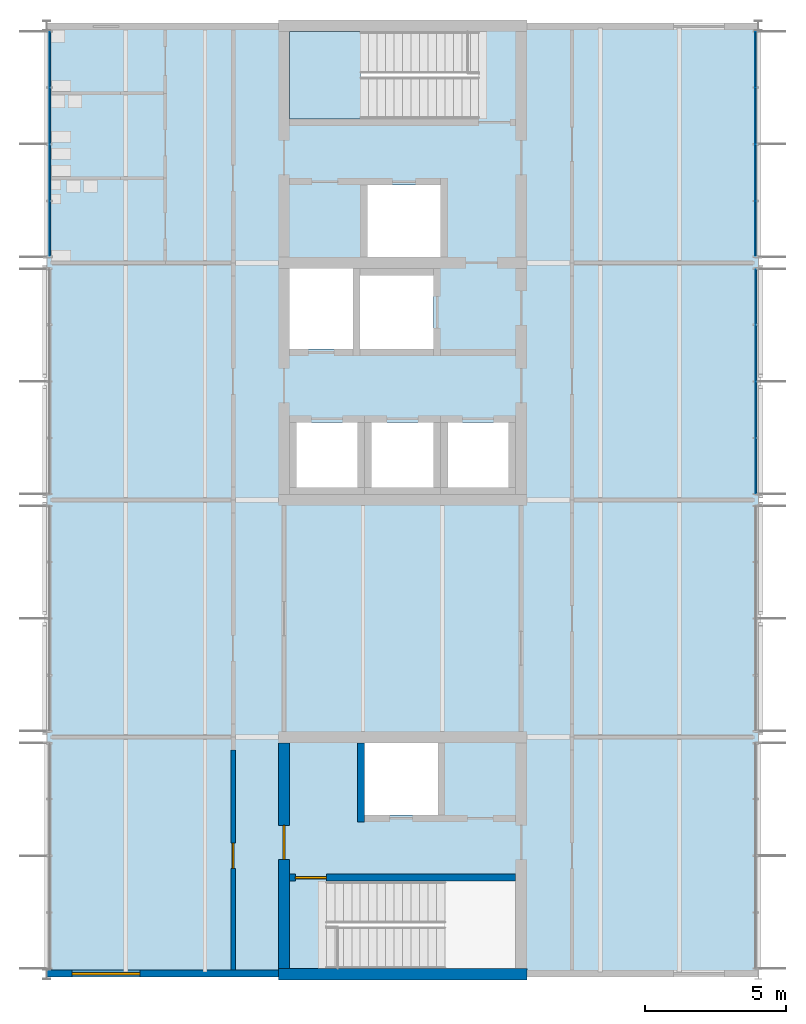
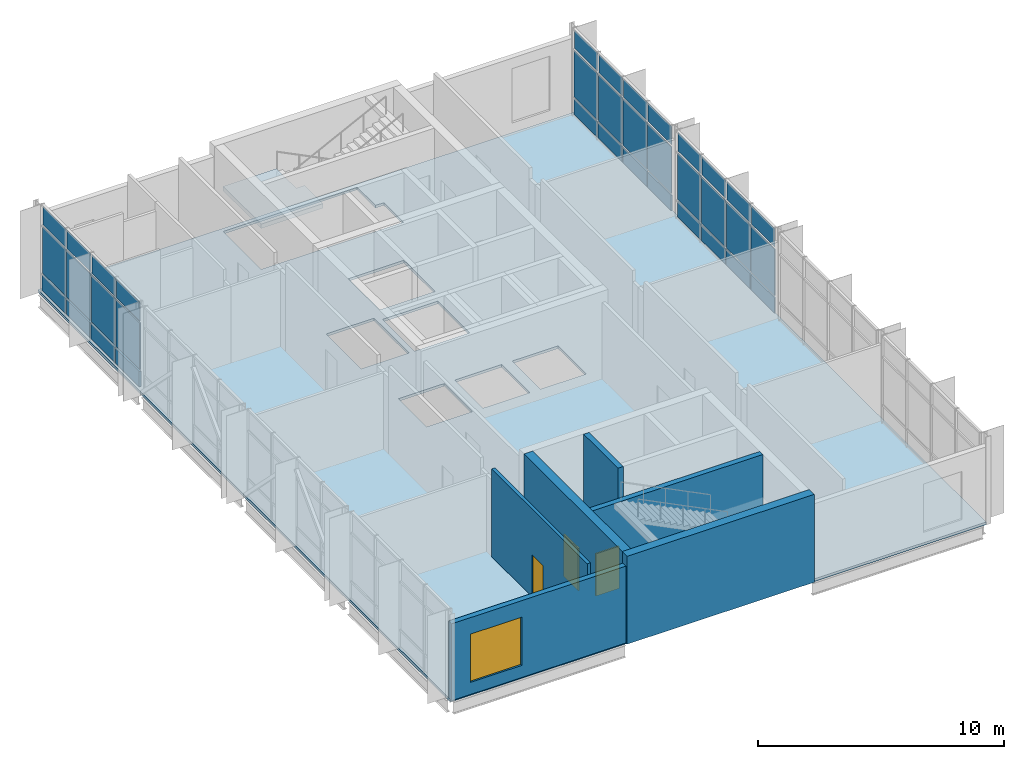
# One storey, part 8 of 17: 36 plates, 6 walls, 3 doors, 2 slabs, 1 window, 4 openings, 4 elements without a shape of their own.
"""IFC4 building model written with IfcOpenShell, lengths in metres."""

import ifcopenshell
import ifcopenshell.guid

model = None  # the IFC model being written
_history = None  # IfcOwnerHistory: only IFC2X3 demands one
_inside = {}  # id of a spatial element -> (the spatial element, [elements in it])
_under = {}  # id of a project, library or spatial element -> (it, [spatial elements below it])
_declared = {}  # id of a project -> (the project, [libraries it declares])
_typed = {}  # id of a type object -> (the type object, [elements of that type])
_made_of = {}  # id of a material, layer set ... -> (it, [elements and type objects made of it])


def new_model(schema):
    """Start an empty IFC model of exactly this schema.

    Asked for "IFC4X3", IfcOpenShell would pick the latest addendum, in which some entities
    have other attributes; the version numbers below select the first issue.
    IFC2X3 requires an IfcOwnerHistory on every rooted entity: one is made here for all.
    """
    global model, _history
    if schema == "IFC4X3":
        model = ifcopenshell.file(schema_version=(4, 3, 0, 0))
    else:
        model = ifcopenshell.file(schema=schema)
    _inside.clear()
    _under.clear()
    _declared.clear()
    _typed.clear()
    _made_of.clear()
    _history = None
    if model.schema == "IFC2X3":
        org = make("IfcOrganization", Name="unknown")
        user = make(
            "IfcPersonAndOrganization",
            ThePerson=make("IfcPerson", FamilyName="unknown"),
            TheOrganization=org,
        )
        app = make(
            "IfcApplication",
            ApplicationDeveloper=org,
            Version="unknown",
            ApplicationFullName="unknown",
            ApplicationIdentifier="unknown",
        )
        _history = make(
            "IfcOwnerHistory",
            OwningUser=user,
            OwningApplication=app,
            ChangeAction="ADDED",
            CreationDate=0,
        )
    return model


def make(cls, **values):
    """One entity of the class cls with the attributes given. An attribute that is None is left unset."""
    return model.create_entity(
        cls, **{name: value for name, value in values.items() if value is not None}
    )


def rooted(cls, **values):
    """An entity with a GlobalId (a new one), such as an element, a storey or a relation."""
    return make(cls, GlobalId=ifcopenshell.guid.new(), OwnerHistory=_history, **values)


def si_unit(unit_type, name, prefix=None):
    """IfcSIUnit, for example si_unit("LENGTHUNIT", "METRE", prefix="MILLI")."""
    return make("IfcSIUnit", UnitType=unit_type, Prefix=prefix, Name=name)


def assignment(units):
    """IfcUnitAssignment: the units of a project."""
    return None if units is None else make("IfcUnitAssignment", Units=units)


def point(xyz):
    """IfcCartesianPoint."""
    return None if xyz is None else make("IfcCartesianPoint", Coordinates=xyz)


def direction(xyz):
    """IfcDirection."""
    return None if xyz is None else make("IfcDirection", DirectionRatios=xyz)


def frame(location, z_axis=None, x_axis=None):
    """IfcAxis2Placement3D, a coordinate frame: its origin and axes. An axis left out is left unset."""
    return make(
        "IfcAxis2Placement3D",
        Location=point(location),
        Axis=direction(z_axis),
        RefDirection=direction(x_axis),
    )


def frame_2d(location, x_axis=None):
    """IfcAxis2Placement2D, a coordinate frame in the plane: its origin and x axis."""
    return make(
        "IfcAxis2Placement2D", Location=point(location), RefDirection=direction(x_axis)
    )


def origin():
    """The frame at (0, 0, 0) with its axes left unset."""
    return frame((0.0, 0.0, 0.0))


def origin_2d():
    """The frame at (0, 0) in the plane with its x axis left unset."""
    return frame_2d((0.0, 0.0))


def place(relative_to, where):
    """IfcLocalPlacement: puts the frame where relative to a parent placement (None: the world)."""
    return make(
        "IfcLocalPlacement", PlacementRelTo=relative_to, RelativePlacement=where
    )


def context(
    kind, dimensions, precision=None, world=None, true_north=None, identifier=None
):
    """IfcGeometricRepresentationContext, for example the 3D "Model" context."""
    return make(
        "IfcGeometricRepresentationContext",
        ContextIdentifier=identifier,
        ContextType=kind,
        CoordinateSpaceDimension=dimensions,
        Precision=precision,
        WorldCoordinateSystem=world,
        TrueNorth=true_north,
    )


def subcontext(parent, identifier, kind, view, scale=None):
    """IfcGeometricRepresentationSubContext, for example "Body" below "Model"."""
    return make(
        "IfcGeometricRepresentationSubContext",
        ContextIdentifier=identifier,
        ContextType=kind,
        ParentContext=parent,
        TargetScale=scale,
        TargetView=view,
    )


def project(units=None, contexts=None):
    """IfcProject with its units and contexts."""
    return rooted(
        "IfcProject",
        Name="project",
        RepresentationContexts=contexts,
        UnitsInContext=assignment(units),
    )


def spatial(cls, under=None, at=None, **own):
    """A site, building, storey or space (cls), placed at a placement, below another one or the project."""
    s = rooted(cls, ObjectPlacement=at, **own)
    if under is not None:
        _under.setdefault(under.id(), (under, []))[1].append(s)
    return s


def polyline(points):
    """IfcPolyline through the points."""
    return make("IfcPolyline", Points=[point(p) for p in points])


def profile(cls, at=None, kind="AREA", **sizes):
    """A parametric profile (cls). Its sizes go by their IFC names, for example OverallWidth=200.0."""
    return make(cls, ProfileType=kind, Position=at, **sizes)


def rectangle(**sizes):
    """IfcRectangleProfileDef."""
    return profile("IfcRectangleProfileDef", **sizes)


def outline(outer, holes=None, kind="AREA"):
    """IfcArbitraryClosedProfileDef: a profile drawn as a closed curve; with holes, ...WithVoids."""
    if holes is None:
        return make("IfcArbitraryClosedProfileDef", ProfileType=kind, OuterCurve=outer)
    return make(
        "IfcArbitraryProfileDefWithVoids",
        ProfileType=kind,
        OuterCurve=outer,
        InnerCurves=holes,
    )


def extrude(swept, where, along, depth):
    """IfcExtrudedAreaSolid: the profile swept, set in the frame where, extruded along a direction by depth."""
    return make(
        "IfcExtrudedAreaSolid",
        SweptArea=swept,
        Position=where,
        ExtrudedDirection=direction(along),
        Depth=depth,
    )


def shape(context_of_items, identifier, shape_type, items):
    """IfcShapeRepresentation: the items that make up one representation, for example the "Body"."""
    return make(
        "IfcShapeRepresentation",
        ContextOfItems=context_of_items,
        RepresentationIdentifier=identifier,
        RepresentationType=shape_type,
        Items=items,
    )


def material(Name=None, Category=None):
    """IfcMaterial."""
    return make("IfcMaterial", Name=Name, Category=Category)


def layer(
    of_material, thickness, ventilated=None, Name=None, Category=None, Priority=None
):
    """IfcMaterialLayer: one layer of a wall or slab, of a material (None: an air gap)."""
    return make(
        "IfcMaterialLayer",
        Material=of_material,
        LayerThickness=thickness,
        IsVentilated=ventilated,
        Name=Name,
        Category=Category,
        Priority=Priority,
    )


def layer_set(layers, Name=None):
    """IfcMaterialLayerSet."""
    return make("IfcMaterialLayerSet", MaterialLayers=layers, LayerSetName=Name)


def made_of(thing, what):
    """Note that an element or type object is made of a material, layer set ...; save() writes the relation."""
    if what is not None:
        _made_of.setdefault(what.id(), (what, []))[1].append(thing)
    return thing


def type_object(cls, material=None, **own):
    """A type object (cls), such as IfcWallType, which elements share."""
    return made_of(rooted(cls, **own), material)


def element(
    cls,
    number,
    at=None,
    inside=None,
    cuts=None,
    type_object=None,
    material=None,
    context=None,
    identifier="Body",
    shape_type=None,
    held_by="IfcProductDefinitionShape",
    body=None,
    shapes=None,
    **own,
):
    """One element of the class cls, such as IfcWall. Its Tag is "e" and its number.

    at: its placement. inside: the storey or other place that contains it. cuts: it is an
    opening in that element (IfcRelVoidsElement). A single representation is given by context,
    identifier, shape_type and body (its items); several are given by shapes. held_by: the class
    of the entity that holds the representations. save() writes the other relations.
    """
    e = rooted(cls, Tag="e%d" % number, ObjectPlacement=at, **own)
    if body is not None:
        shapes = [shape(context, identifier, shape_type, body)]
    if shapes is not None:
        e.Representation = make(held_by, Representations=shapes)
    if inside is not None:
        _inside.setdefault(inside.id(), (inside, []))[1].append(e)
    if cuts is not None:
        rooted(
            "IfcRelVoidsElement", RelatingBuildingElement=cuts, RelatedOpeningElement=e
        )
    if type_object is not None:
        _typed.setdefault(type_object.id(), (type_object, []))[1].append(e)
    return made_of(e, material)


def fill(opening, filler):
    """IfcRelFillsElement: the door or window that sits in an opening."""
    return rooted(
        "IfcRelFillsElement",
        RelatingOpeningElement=opening,
        RelatedBuildingElement=filler,
    )


def aggregate(whole, parts):
    """IfcRelAggregates: a whole, such as a stair, and the parts it consists of."""
    return rooted("IfcRelAggregates", RelatingObject=whole, RelatedObjects=parts)


def save(model, path):
    """Write the relations noted so far, then the file.

    IfcRelAggregates (storeys below a building ...), IfcRelContainedInSpatialStructure (elements
    in a storey), IfcRelDefinesByType, IfcRelAssociatesMaterial and IfcRelDeclares: one each for
    every whole, place, type object, material and project.
    """
    for whole, parts in _under.values():
        aggregate(whole, parts)
    for where, things in _inside.values():
        rooted(
            "IfcRelContainedInSpatialStructure",
            RelatedElements=things,
            RelatingStructure=where,
        )
    for kind, things in _typed.values():
        rooted("IfcRelDefinesByType", RelatedObjects=things, RelatingType=kind)
    for what, things in _made_of.values():
        rooted("IfcRelAssociatesMaterial", RelatedObjects=things, RelatingMaterial=what)
    for by, libraries in _declared.values():
        rooted("IfcRelDeclares", RelatingContext=by, RelatedDefinitions=libraries)
    model.write(path)


model = new_model("IFC4")

# Units and contexts
model_context = context("Model", 3, precision=1e-05, world=origin(), true_north=direction((0.0, 1.0)))
body_context = subcontext(model_context, "Body", "Model", "MODEL_VIEW")
ifc_project = project(units=[si_unit("LENGTHUNIT", "METRE"), si_unit("AREAUNIT", "SQUARE_METRE"), si_unit("VOLUMEUNIT", "CUBIC_METRE"), si_unit("PLANEANGLEUNIT", "RADIAN"), si_unit("MASSUNIT", "GRAM", prefix="KILO")], contexts=[model_context])

# Site, building, storey
site_placement = place(None, origin())
site = spatial("IfcSite", under=ifc_project, at=site_placement, CompositionType="ELEMENT")
building_placement = place(site_placement, origin())
building = spatial("IfcBuilding", under=site, at=building_placement, Name="Hlaing Beacon Police Headquarters", CompositionType="ELEMENT")
storey_placement = place(building_placement, frame((0.0, 0.0, 36.89990234375)))
storey = spatial("IfcBuildingStorey", under=building, at=storey_placement, Name="L08", CompositionType="ELEMENT", Elevation=36.89990234375)

# Curtain wall, plates
ifc_material_1 = material(Name="Aluminium frame with solar control glazing", Category="aluminium")
curtain_wall_type = type_object("IfcCurtainWallType", Name="Unitised curtain wall 8.04 x 4.37", PredefinedType="NOTDEFINED", material=ifc_material_1)
curtain_wall_1_placement = place(storey_placement, origin())
curtain_wall_1 = element("IfcCurtainWall", 1, at=curtain_wall_1_placement, inside=storey, type_object=curtain_wall_type, Name="ENV-CW-L08-E003", PredefinedType="NOTDEFINED")
ifc_material_2 = material(Name="Solar control glazing", Category="glass")
ifc_layer_1 = layer(ifc_material_2, 0.0439453125)
ifc_layer_set_1 = layer_set([ifc_layer_1], Name="Solar control glazing")
plate_type_1 = type_object("IfcPlateType", Name="Clear glazing panel 44", PredefinedType="CURTAIN_PANEL", material=ifc_layer_set_1)
plate_1_placement = place(storey_placement, frame((125.909912109375, 53.595458984375, 0.9501953125), z_axis=(0.0, 0.0, 1.0), x_axis=(0.0, 1.0, 0.0)))
plate_1 = element("IfcPlate", 2, at=plate_1_placement, type_object=plate_type_1, Name="CW-L08-E003 panel 2.2", PredefinedType="CURTAIN_PANEL", context=body_context, shape_type="SweptSolid", body=[
    extrude(rectangle(XDim=1.94921875, YDim=0.0439453125, at=origin_2d()), origin(), (0.0, 0.0, 1.0), 2.300048828125),
])
plate_2_placement = place(storey_placement, frame((125.909912109375, 57.598876953125, 0.9501953125), z_axis=(0.0, 0.0, 1.0), x_axis=(0.0, 1.0, 0.0)))
plate_2 = element("IfcPlate", 3, at=plate_2_placement, type_object=plate_type_1, Name="CW-L08-E003 panel 4.2", PredefinedType="CURTAIN_PANEL", context=body_context, shape_type="SweptSolid", body=[
    extrude(rectangle(XDim=1.919189453125, YDim=0.0439453125, at=origin_2d()), origin(), (0.0, 0.0, 1.0), 2.300048828125),
])

curtain_wall_2_placement = place(storey_placement, origin())
curtain_wall_2 = element("IfcCurtainWall", 4, at=curtain_wall_2_placement, inside=storey, type_object=curtain_wall_type, Name="ENV-CW-L08-E004", PredefinedType="NOTDEFINED")
plate_3_placement = place(storey_placement, frame((125.89990234375, 61.997314453125, 0.9501953125), z_axis=(0.0, 0.0, 1.0), x_axis=(0.0, 1.0, 0.0)))
plate_3 = element("IfcPlate", 5, at=plate_3_placement, type_object=plate_type_1, Name="CW-L08-E004 panel 2.2", PredefinedType="CURTAIN_PANEL", context=body_context, shape_type="SweptSolid", body=[
    extrude(rectangle(XDim=1.950439453125, YDim=0.0439453125, at=origin_2d()), origin(), (0.0, 0.0, 1.0), 2.300048828125),
])
plate_4_placement = place(storey_placement, frame((125.89990234375, 66.003173828125, 0.9501953125), z_axis=(0.0, 0.0, 1.0), x_axis=(0.0, 1.0, 0.0)))
plate_4 = element("IfcPlate", 6, at=plate_4_placement, type_object=plate_type_1, Name="CW-L08-E004 panel 4.2", PredefinedType="CURTAIN_PANEL", context=body_context, shape_type="SweptSolid", body=[
    extrude(rectangle(XDim=1.92041015625, YDim=0.0439453125, at=origin_2d()), origin(), (0.0, 0.0, 1.0), 2.300048828125),
])

curtain_wall_3_placement = place(storey_placement, origin())
curtain_wall_3 = element("IfcCurtainWall", 7, at=curtain_wall_3_placement, inside=storey, type_object=curtain_wall_type, Name="ENV-CW-L08-W005", PredefinedType="NOTDEFINED")
plate_5_placement = place(storey_placement, frame((100.89990234375, 64.0078125, 0.9501953125), z_axis=(0.0, 0.0, 1.0), x_axis=(0.0, -1.0, 0.0)))
plate_5 = element("IfcPlate", 8, at=plate_5_placement, type_object=plate_type_1, Name="CW-L08-W005 panel 2.2", PredefinedType="CURTAIN_PANEL", context=body_context, shape_type="SweptSolid", body=[
    extrude(rectangle(XDim=1.950439453125, YDim=0.0439453125, at=origin_2d()), origin(), (0.0, 0.0, 1.0), 2.300048828125),
])
plate_6_placement = place(storey_placement, frame((100.89990234375, 60.001953125, 0.9501953125), z_axis=(0.0, 0.0, 1.0), x_axis=(0.0, -1.0, 0.0)))
plate_6 = element("IfcPlate", 9, at=plate_6_placement, type_object=plate_type_1, Name="CW-L08-W005 panel 4.2", PredefinedType="CURTAIN_PANEL", context=body_context, shape_type="SweptSolid", body=[
    extrude(rectangle(XDim=1.92041015625, YDim=0.0439453125, at=origin_2d()), origin(), (0.0, 0.0, 1.0), 2.300048828125),
])

# Slab
ifc_material_3 = material(Name="Concrete C40/50", Category="concrete")
ifc_layer_2 = layer(ifc_material_3, 0.1298828125)
ifc_layer_set_2 = layer_set([ifc_layer_2], Name="Concrete C40/50")
slab_type_1 = type_object("IfcSlabType", Name="Composite deck slab 130", PredefinedType="FLOOR", material=ifc_layer_set_2)
slab_1_placement = place(storey_placement, frame((0.0, 0.0, -0.1298828125)))
element("IfcSlab", 10, at=slab_1_placement, inside=storey, type_object=slab_type_1, Name="STR-SLAB-L08-01", PredefinedType="FLOOR", context=body_context, shape_type="SweptSolid", body=[
    extrude(outline(polyline([(100.800048828125, 33.60009765625), (126.0, 33.60009765625), (126.0, 67.199951171875), (100.800048828125, 67.199951171875), (100.800048828125, 33.60009765625)]), holes=[polyline([(109.39990234375, 55.75), (111.64990234375, 55.75), (111.64990234375, 58.60009765625), (109.39990234375, 58.60009765625), (109.39990234375, 55.75)]), polyline([(109.39990234375, 63.89990234375), (116.090087890625, 63.89990234375), (116.090087890625, 65.5), (115.699951171875, 65.5), (115.699951171875, 67.0), (109.39990234375, 67.0), (109.39990234375, 63.89990234375)]), polyline([(109.64990234375, 50.85009765625), (111.800048828125, 50.85009765625), (111.800048828125, 53.14990234375), (109.64990234375, 53.14990234375), (109.64990234375, 50.85009765625)]), polyline([(111.10009765625, 33.800048828125), (117.39990234375, 33.800048828125), (117.39990234375, 36.89990234375), (110.7099609375, 36.89990234375), (110.7099609375, 35.300048828125), (111.10009765625, 35.300048828125), (111.10009765625, 33.800048828125)]), polyline([(111.89990234375, 55.75), (114.5, 55.75), (114.5, 58.35009765625), (111.89990234375, 58.35009765625), (111.89990234375, 55.75)]), polyline([(112.050048828125, 39.25), (114.64990234375, 39.25), (114.64990234375, 41.800048828125), (112.050048828125, 41.800048828125), (112.050048828125, 39.25)]), polyline([(112.14990234375, 59.0), (114.75, 59.0), (114.75, 61.550048828125), (112.14990234375, 61.550048828125), (112.14990234375, 59.0)]), polyline([(112.300048828125, 50.85009765625), (114.5, 50.85009765625), (114.5, 53.14990234375), (112.300048828125, 53.14990234375), (112.300048828125, 50.85009765625)]), polyline([(115.0, 50.85009765625), (117.14990234375, 50.85009765625), (117.14990234375, 53.14990234375), (115.0, 53.14990234375), (115.0, 50.85009765625)])]), origin(), (0.0, 0.0, 1.0), 0.1298828125),
])

# Plate
ifc_material_4 = material(Name="Fritted solar control glazing", Category="glass")
ifc_layer_3 = layer(ifc_material_4, 0.0439453125)
ifc_layer_set_3 = layer_set([ifc_layer_3], Name="Fritted solar control glazing")
plate_type_2 = type_object("IfcPlateType", Name="Fritted glazing panel 44", PredefinedType="CURTAIN_PANEL", material=ifc_layer_set_3)
plate_7_placement = place(storey_placement, frame((125.909912109375, 51.601318359375, 0.9501953125), z_axis=(0.0, 0.0, 1.0), x_axis=(0.0, 1.0, 0.0)))
plate_7 = element("IfcPlate", 11, at=plate_7_placement, type_object=plate_type_2, Name="CW-L08-E003 panel 1.2", PredefinedType="CURTAIN_PANEL", context=body_context, shape_type="SweptSolid", body=[
    extrude(rectangle(XDim=1.919189453125, YDim=0.0439453125, at=origin_2d()), origin(), (0.0, 0.0, 1.0), 2.300048828125),
])

plate_8_placement = place(storey_placement, frame((125.909912109375, 55.6044921875, 0.9501953125), z_axis=(0.0, 0.0, 1.0), x_axis=(0.0, 1.0, 0.0)))
plate_8 = element("IfcPlate", 12, at=plate_8_placement, type_object=plate_type_2, Name="CW-L08-E003 panel 3.2", PredefinedType="CURTAIN_PANEL", context=body_context, shape_type="SweptSolid", body=[
    extrude(rectangle(XDim=1.94921875, YDim=0.0439453125, at=origin_2d()), origin(), (0.0, 0.0, 1.0), 2.300048828125),
])

plate_9_placement = place(storey_placement, frame((125.89990234375, 60.001953125, 0.9501953125), z_axis=(0.0, 0.0, 1.0), x_axis=(0.0, 1.0, 0.0)))
plate_9 = element("IfcPlate", 13, at=plate_9_placement, type_object=plate_type_2, Name="CW-L08-E004 panel 1.2", PredefinedType="CURTAIN_PANEL", context=body_context, shape_type="SweptSolid", body=[
    extrude(rectangle(XDim=1.92041015625, YDim=0.0439453125, at=origin_2d()), origin(), (0.0, 0.0, 1.0), 2.300048828125),
])

plate_10_placement = place(storey_placement, frame((125.89990234375, 64.0078125, 0.9501953125), z_axis=(0.0, 0.0, 1.0), x_axis=(0.0, 1.0, 0.0)))
plate_10 = element("IfcPlate", 14, at=plate_10_placement, type_object=plate_type_2, Name="CW-L08-E004 panel 3.2", PredefinedType="CURTAIN_PANEL", context=body_context, shape_type="SweptSolid", body=[
    extrude(rectangle(XDim=1.950439453125, YDim=0.0439453125, at=origin_2d()), origin(), (0.0, 0.0, 1.0), 2.300048828125),
])

plate_11_placement = place(storey_placement, frame((100.89990234375, 66.003173828125, 0.9501953125), z_axis=(0.0, 0.0, 1.0), x_axis=(0.0, -1.0, 0.0)))
plate_11 = element("IfcPlate", 15, at=plate_11_placement, type_object=plate_type_2, Name="CW-L08-W005 panel 1.2", PredefinedType="CURTAIN_PANEL", context=body_context, shape_type="SweptSolid", body=[
    extrude(rectangle(XDim=1.92041015625, YDim=0.0439453125, at=origin_2d()), origin(), (0.0, 0.0, 1.0), 2.300048828125),
])

plate_12_placement = place(storey_placement, frame((100.89990234375, 61.997314453125, 0.9501953125), z_axis=(0.0, 0.0, 1.0), x_axis=(0.0, -1.0, 0.0)))
plate_12 = element("IfcPlate", 16, at=plate_12_placement, type_object=plate_type_2, Name="CW-L08-W005 panel 3.2", PredefinedType="CURTAIN_PANEL", context=body_context, shape_type="SweptSolid", body=[
    extrude(rectangle(XDim=1.950439453125, YDim=0.0439453125, at=origin_2d()), origin(), (0.0, 0.0, 1.0), 2.300048828125),
])

ifc_material_5 = material(Name="Insulated aluminium spandrel", Category="aluminium")
ifc_layer_4 = layer(ifc_material_5, 0.06005859375)
ifc_layer_set_4 = layer_set([ifc_layer_4], Name="Insulated aluminium spandrel")
plate_type_3 = type_object("IfcPlateType", Name="Insulated spandrel panel 60", PredefinedType="CURTAIN_PANEL", material=ifc_layer_set_4)
plate_13_placement = place(storey_placement, frame((125.909912109375, 51.601318359375, 0.10009765625), z_axis=(0.0, 0.0, 1.0), x_axis=(0.0, 1.0, 0.0)))
plate_13 = element("IfcPlate", 17, at=plate_13_placement, type_object=plate_type_3, Name="CW-L08-E003 panel 1.1", PredefinedType="CURTAIN_PANEL", context=body_context, shape_type="SweptSolid", body=[
    extrude(rectangle(XDim=1.919189453125, YDim=0.06005859375, at=origin_2d()), origin(), (0.0, 0.0, 1.0), 0.75),
])

plate_14_placement = place(storey_placement, frame((125.909912109375, 53.595458984375, 0.10009765625), z_axis=(0.0, 0.0, 1.0), x_axis=(0.0, 1.0, 0.0)))
plate_14 = element("IfcPlate", 18, at=plate_14_placement, type_object=plate_type_3, Name="CW-L08-E003 panel 2.1", PredefinedType="CURTAIN_PANEL", context=body_context, shape_type="SweptSolid", body=[
    extrude(rectangle(XDim=1.94921875, YDim=0.06005859375, at=origin_2d()), origin(), (0.0, 0.0, 1.0), 0.75),
])

plate_15_placement = place(storey_placement, frame((125.909912109375, 55.6044921875, 0.10009765625), z_axis=(0.0, 0.0, 1.0), x_axis=(0.0, 1.0, 0.0)))
plate_15 = element("IfcPlate", 19, at=plate_15_placement, type_object=plate_type_3, Name="CW-L08-E003 panel 3.1", PredefinedType="CURTAIN_PANEL", context=body_context, shape_type="SweptSolid", body=[
    extrude(rectangle(XDim=1.94921875, YDim=0.06005859375, at=origin_2d()), origin(), (0.0, 0.0, 1.0), 0.75),
])

plate_16_placement = place(storey_placement, frame((125.909912109375, 57.598876953125, 0.10009765625), z_axis=(0.0, 0.0, 1.0), x_axis=(0.0, 1.0, 0.0)))
plate_16 = element("IfcPlate", 20, at=plate_16_placement, type_object=plate_type_3, Name="CW-L08-E003 panel 4.1", PredefinedType="CURTAIN_PANEL", context=body_context, shape_type="SweptSolid", body=[
    extrude(rectangle(XDim=1.919189453125, YDim=0.06005859375, at=origin_2d()), origin(), (0.0, 0.0, 1.0), 0.75),
])

plate_17_placement = place(storey_placement, frame((125.89990234375, 60.001953125, 0.10009765625), z_axis=(0.0, 0.0, 1.0), x_axis=(0.0, 1.0, 0.0)))
plate_17 = element("IfcPlate", 21, at=plate_17_placement, type_object=plate_type_3, Name="CW-L08-E004 panel 1.1", PredefinedType="CURTAIN_PANEL", context=body_context, shape_type="SweptSolid", body=[
    extrude(rectangle(XDim=1.92041015625, YDim=0.06005859375, at=origin_2d()), origin(), (0.0, 0.0, 1.0), 0.75),
])

plate_18_placement = place(storey_placement, frame((125.89990234375, 61.997314453125, 0.10009765625), z_axis=(0.0, 0.0, 1.0), x_axis=(0.0, 1.0, 0.0)))
plate_18 = element("IfcPlate", 22, at=plate_18_placement, type_object=plate_type_3, Name="CW-L08-E004 panel 2.1", PredefinedType="CURTAIN_PANEL", context=body_context, shape_type="SweptSolid", body=[
    extrude(rectangle(XDim=1.950439453125, YDim=0.06005859375, at=origin_2d()), origin(), (0.0, 0.0, 1.0), 0.75),
])

plate_19_placement = place(storey_placement, frame((125.89990234375, 64.0078125, 0.10009765625), z_axis=(0.0, 0.0, 1.0), x_axis=(0.0, 1.0, 0.0)))
plate_19 = element("IfcPlate", 23, at=plate_19_placement, type_object=plate_type_3, Name="CW-L08-E004 panel 3.1", PredefinedType="CURTAIN_PANEL", context=body_context, shape_type="SweptSolid", body=[
    extrude(rectangle(XDim=1.950439453125, YDim=0.06005859375, at=origin_2d()), origin(), (0.0, 0.0, 1.0), 0.75),
])

plate_20_placement = place(storey_placement, frame((125.89990234375, 66.003173828125, 0.10009765625), z_axis=(0.0, 0.0, 1.0), x_axis=(0.0, 1.0, 0.0)))
plate_20 = element("IfcPlate", 24, at=plate_20_placement, type_object=plate_type_3, Name="CW-L08-E004 panel 4.1", PredefinedType="CURTAIN_PANEL", context=body_context, shape_type="SweptSolid", body=[
    extrude(rectangle(XDim=1.92041015625, YDim=0.06005859375, at=origin_2d()), origin(), (0.0, 0.0, 1.0), 0.75),
])

ifc_material_6 = material(Name="Insulated aluminium spandrel", Category="aluminium")
ifc_layer_5 = layer(ifc_material_6, 0.080078125)
ifc_layer_set_5 = layer_set([ifc_layer_5], Name="Insulated aluminium spandrel")
plate_type_4 = type_object("IfcPlateType", Name="Insulated spandrel panel 80", PredefinedType="CURTAIN_PANEL", material=ifc_layer_set_5)
plate_21_placement = place(storey_placement, frame((100.89990234375, 66.003173828125, 0.10009765625), z_axis=(0.0, 0.0, 1.0), x_axis=(0.0, -1.0, 0.0)))
plate_21 = element("IfcPlate", 25, at=plate_21_placement, type_object=plate_type_4, Name="CW-L08-W005 panel 1.1", PredefinedType="CURTAIN_PANEL", context=body_context, shape_type="SweptSolid", body=[
    extrude(rectangle(XDim=1.92041015625, YDim=0.080078125, at=origin_2d()), origin(), (0.0, 0.0, 1.0), 0.75),
])

plate_22_placement = place(storey_placement, frame((100.89990234375, 64.0078125, 0.10009765625), z_axis=(0.0, 0.0, 1.0), x_axis=(0.0, -1.0, 0.0)))
plate_22 = element("IfcPlate", 26, at=plate_22_placement, type_object=plate_type_4, Name="CW-L08-W005 panel 2.1", PredefinedType="CURTAIN_PANEL", context=body_context, shape_type="SweptSolid", body=[
    extrude(rectangle(XDim=1.950439453125, YDim=0.080078125, at=origin_2d()), origin(), (0.0, 0.0, 1.0), 0.75),
])

plate_23_placement = place(storey_placement, frame((100.89990234375, 61.997314453125, 0.10009765625), z_axis=(0.0, 0.0, 1.0), x_axis=(0.0, -1.0, 0.0)))
plate_23 = element("IfcPlate", 27, at=plate_23_placement, type_object=plate_type_4, Name="CW-L08-W005 panel 3.1", PredefinedType="CURTAIN_PANEL", context=body_context, shape_type="SweptSolid", body=[
    extrude(rectangle(XDim=1.950439453125, YDim=0.080078125, at=origin_2d()), origin(), (0.0, 0.0, 1.0), 0.75),
])

plate_24_placement = place(storey_placement, frame((100.89990234375, 60.001953125, 0.10009765625), z_axis=(0.0, 0.0, 1.0), x_axis=(0.0, -1.0, 0.0)))
plate_24 = element("IfcPlate", 28, at=plate_24_placement, type_object=plate_type_4, Name="CW-L08-W005 panel 4.1", PredefinedType="CURTAIN_PANEL", context=body_context, shape_type="SweptSolid", body=[
    extrude(rectangle(XDim=1.92041015625, YDim=0.080078125, at=origin_2d()), origin(), (0.0, 0.0, 1.0), 0.75),
])

ifc_material_7 = material(Name="Perforated aluminium", Category="aluminium")
ifc_layer_6 = layer(ifc_material_7, 0.00390625)
ifc_layer_set_6 = layer_set([ifc_layer_6], Name="Perforated aluminium")
plate_type_5 = type_object("IfcPlateType", Name="Perforated aluminium vent panel 4", PredefinedType="CURTAIN_PANEL", material=ifc_layer_set_6)
plate_25_placement = place(storey_placement, frame((125.909912109375, 51.601318359375, 3.35009765625), z_axis=(0.0, 0.0, 1.0), x_axis=(0.0, 1.0, 0.0)))
plate_25 = element("IfcPlate", 29, at=plate_25_placement, type_object=plate_type_5, Name="CW-L08-E003 panel 1.3", PredefinedType="CURTAIN_PANEL", context=body_context, shape_type="SweptSolid", body=[
    extrude(rectangle(XDim=1.919189453125, YDim=0.00390625, at=origin_2d()), origin(), (0.0, 0.0, 1.0), 0.919921875),
])

plate_26_placement = place(storey_placement, frame((125.909912109375, 53.595458984375, 3.35009765625), z_axis=(0.0, 0.0, 1.0), x_axis=(0.0, 1.0, 0.0)))
plate_26 = element("IfcPlate", 30, at=plate_26_placement, type_object=plate_type_5, Name="CW-L08-E003 panel 2.3", PredefinedType="CURTAIN_PANEL", context=body_context, shape_type="SweptSolid", body=[
    extrude(rectangle(XDim=1.94921875, YDim=0.00390625, at=origin_2d()), origin(), (0.0, 0.0, 1.0), 0.919921875),
])

plate_27_placement = place(storey_placement, frame((125.909912109375, 55.6044921875, 3.35009765625), z_axis=(0.0, 0.0, 1.0), x_axis=(0.0, 1.0, 0.0)))
plate_27 = element("IfcPlate", 31, at=plate_27_placement, type_object=plate_type_5, Name="CW-L08-E003 panel 3.3", PredefinedType="CURTAIN_PANEL", context=body_context, shape_type="SweptSolid", body=[
    extrude(rectangle(XDim=1.94921875, YDim=0.00390625, at=origin_2d()), origin(), (0.0, 0.0, 1.0), 0.919921875),
])

plate_28_placement = place(storey_placement, frame((125.909912109375, 57.598876953125, 3.35009765625), z_axis=(0.0, 0.0, 1.0), x_axis=(0.0, 1.0, 0.0)))
plate_28 = element("IfcPlate", 32, at=plate_28_placement, type_object=plate_type_5, Name="CW-L08-E003 panel 4.3", PredefinedType="CURTAIN_PANEL", context=body_context, shape_type="SweptSolid", body=[
    extrude(rectangle(XDim=1.919189453125, YDim=0.00390625, at=origin_2d()), origin(), (0.0, 0.0, 1.0), 0.919921875),
])

aggregate(curtain_wall_1, [plate_13, plate_7, plate_25, plate_14, plate_1, plate_26, plate_15, plate_8, plate_27, plate_16, plate_2, plate_28])

plate_29_placement = place(storey_placement, frame((125.89990234375, 60.001953125, 3.35009765625), z_axis=(0.0, 0.0, 1.0), x_axis=(0.0, 1.0, 0.0)))
plate_29 = element("IfcPlate", 33, at=plate_29_placement, type_object=plate_type_5, Name="CW-L08-E004 panel 1.3", PredefinedType="CURTAIN_PANEL", context=body_context, shape_type="SweptSolid", body=[
    extrude(rectangle(XDim=1.92041015625, YDim=0.00390625, at=origin_2d()), origin(), (0.0, 0.0, 1.0), 0.919921875),
])

plate_30_placement = place(storey_placement, frame((125.89990234375, 61.997314453125, 3.35009765625), z_axis=(0.0, 0.0, 1.0), x_axis=(0.0, 1.0, 0.0)))
plate_30 = element("IfcPlate", 34, at=plate_30_placement, type_object=plate_type_5, Name="CW-L08-E004 panel 2.3", PredefinedType="CURTAIN_PANEL", context=body_context, shape_type="SweptSolid", body=[
    extrude(rectangle(XDim=1.950439453125, YDim=0.00390625, at=origin_2d()), origin(), (0.0, 0.0, 1.0), 0.919921875),
])

plate_31_placement = place(storey_placement, frame((125.89990234375, 64.0078125, 3.35009765625), z_axis=(0.0, 0.0, 1.0), x_axis=(0.0, 1.0, 0.0)))
plate_31 = element("IfcPlate", 35, at=plate_31_placement, type_object=plate_type_5, Name="CW-L08-E004 panel 3.3", PredefinedType="CURTAIN_PANEL", context=body_context, shape_type="SweptSolid", body=[
    extrude(rectangle(XDim=1.950439453125, YDim=0.00390625, at=origin_2d()), origin(), (0.0, 0.0, 1.0), 0.919921875),
])

plate_32_placement = place(storey_placement, frame((125.89990234375, 66.003173828125, 3.35009765625), z_axis=(0.0, 0.0, 1.0), x_axis=(0.0, 1.0, 0.0)))
plate_32 = element("IfcPlate", 36, at=plate_32_placement, type_object=plate_type_5, Name="CW-L08-E004 panel 4.3", PredefinedType="CURTAIN_PANEL", context=body_context, shape_type="SweptSolid", body=[
    extrude(rectangle(XDim=1.92041015625, YDim=0.00390625, at=origin_2d()), origin(), (0.0, 0.0, 1.0), 0.919921875),
])

aggregate(curtain_wall_2, [plate_17, plate_9, plate_29, plate_18, plate_3, plate_30, plate_19, plate_10, plate_31, plate_20, plate_4, plate_32])

plate_33_placement = place(storey_placement, frame((100.89990234375, 66.003173828125, 3.35009765625), z_axis=(0.0, 0.0, 1.0), x_axis=(0.0, -1.0, 0.0)))
plate_33 = element("IfcPlate", 37, at=plate_33_placement, type_object=plate_type_5, Name="CW-L08-W005 panel 1.3", PredefinedType="CURTAIN_PANEL", context=body_context, shape_type="SweptSolid", body=[
    extrude(rectangle(XDim=1.92041015625, YDim=0.00390625, at=origin_2d()), origin(), (0.0, 0.0, 1.0), 0.919921875),
])

plate_34_placement = place(storey_placement, frame((100.89990234375, 64.0078125, 3.35009765625), z_axis=(0.0, 0.0, 1.0), x_axis=(0.0, -1.0, 0.0)))
plate_34 = element("IfcPlate", 38, at=plate_34_placement, type_object=plate_type_5, Name="CW-L08-W005 panel 2.3", PredefinedType="CURTAIN_PANEL", context=body_context, shape_type="SweptSolid", body=[
    extrude(rectangle(XDim=1.950439453125, YDim=0.00390625, at=origin_2d()), origin(), (0.0, 0.0, 1.0), 0.919921875),
])

plate_35_placement = place(storey_placement, frame((100.89990234375, 61.997314453125, 3.35009765625), z_axis=(0.0, 0.0, 1.0), x_axis=(0.0, -1.0, 0.0)))
plate_35 = element("IfcPlate", 39, at=plate_35_placement, type_object=plate_type_5, Name="CW-L08-W005 panel 3.3", PredefinedType="CURTAIN_PANEL", context=body_context, shape_type="SweptSolid", body=[
    extrude(rectangle(XDim=1.950439453125, YDim=0.00390625, at=origin_2d()), origin(), (0.0, 0.0, 1.0), 0.919921875),
])

plate_36_placement = place(storey_placement, frame((100.89990234375, 60.001953125, 3.35009765625), z_axis=(0.0, 0.0, 1.0), x_axis=(0.0, -1.0, 0.0)))
plate_36 = element("IfcPlate", 40, at=plate_36_placement, type_object=plate_type_5, Name="CW-L08-W005 panel 4.3", PredefinedType="CURTAIN_PANEL", context=body_context, shape_type="SweptSolid", body=[
    extrude(rectangle(XDim=1.92041015625, YDim=0.00390625, at=origin_2d()), origin(), (0.0, 0.0, 1.0), 0.919921875),
])

aggregate(curtain_wall_3, [plate_21, plate_11, plate_33, plate_22, plate_5, plate_34, plate_23, plate_12, plate_35, plate_24, plate_6, plate_36])

# Stair, slab
ifc_material_8 = material(Name="Concrete C40/50", Category="concrete")
stair_type = type_object("IfcStairType", Name="Half-turn stair 1500 wide, 4500 rise", PredefinedType="HALF_TURN_STAIR", material=ifc_material_8)
stair_placement = place(storey_placement, origin())
stair = element("IfcStair", 41, at=stair_placement, inside=storey, type_object=stair_type, Name="Stair ST-M", PredefinedType="HALF_TURN_STAIR")
ifc_material_9 = material(Name="Concrete C40/50", Category="concrete")
ifc_layer_7 = layer(ifc_material_9, 0.219970703125)
ifc_layer_set_7 = layer_set([ifc_layer_7], Name="Concrete C40/50")
slab_type_2 = type_object("IfcSlabType", Name="Stair landing 220", PredefinedType="LANDING", material=ifc_layer_set_7)
slab_2_placement = place(storey_placement, frame((0.0, 0.0, 2.030029296875)))
slab_2 = element("IfcSlab", 42, at=slab_2_placement, type_object=slab_type_2, Name="ST-M landing 1", PredefinedType="LANDING", context=body_context, shape_type="SweptSolid", body=[
    extrude(outline(polyline([(111.909912109375, 67.0), (109.39990234375, 67.0), (109.39990234375, 63.89990234375), (112.300048828125, 63.89990234375), (112.300048828125, 65.39990234375), (111.909912109375, 65.39990234375), (111.909912109375, 67.0)])), origin(), (0.0, 0.0, 1.0), 0.219970703125),
])
aggregate(stair, [slab_2])

# Wall
ifc_material_10 = material(Name="Concrete C60/75", Category="concrete")
ifc_layer_8 = layer(ifc_material_10, 0.39990234375)
ifc_layer_set_8 = layer_set([ifc_layer_8], Name="Concrete C60/75")
wall_type_1 = type_object("IfcWallType", Name="Core shear wall 400", PredefinedType="SHEAR", material=ifc_layer_set_8)
wall_1_placement = place(storey_placement, frame((109.0, 33.60009765625, 0.0), z_axis=(0.0, 0.0, 1.0), x_axis=(1.0, 0.0, 0.0)))
element("IfcWall", 43, at=wall_1_placement, inside=storey, type_object=wall_type_1, Name="Core shear wall", PredefinedType="SHEAR", context=body_context, shape_type="SweptSolid", body=[
    extrude(rectangle(XDim=8.800048828125, YDim=0.39990234375, at=frame_2d((4.39990234375, 0.0))), origin(), (0.0, 0.0, 1.0), 4.3701171875),
])

# Wall, opening, door
wall_2_placement = place(storey_placement, frame((109.199951171875, 33.800048828125, 0.0), z_axis=(0.0, 0.0, 1.0), x_axis=(0.0, 1.0, 0.0)))
wall_2 = element("IfcWall", 44, at=wall_2_placement, inside=storey, type_object=wall_type_1, Name="Core shear wall", PredefinedType="SHEAR", context=body_context, shape_type="SweptSolid", body=[
    extrude(rectangle(XDim=8.0, YDim=0.39990234375, at=frame_2d((4.0, 0.0))), origin(), (0.0, 0.0, 1.0), 4.3701171875),
])
opening_1_placement = place(wall_2_placement, frame((3.875, 0.0, 0.0)))
opening_1 = element("IfcOpeningElement", 45, at=opening_1_placement, cuts=wall_2, Name="Opening L08-912", PredefinedType="OPENING", context=body_context, shape_type="SweptSolid", body=[
    extrude(rectangle(XDim=1.199951171875, YDim=2.10009765625, at=frame_2d((0.60009765625, 1.050048828125))), frame((0.0, 0.2099609375, 0.0), z_axis=(0.0, -1.0, 0.0), x_axis=(1.0, 0.0, 0.0)), (0.0, 0.0, 1.0), 0.419921875),
])
ifc_material_11 = material(Name="Steel fire door leaf", Category="steel")
ifc_layer_9 = layer(ifc_material_11, 0.070068359375)
ifc_layer_set_9 = layer_set([ifc_layer_9], Name="Steel fire door leaf")
door_type_1 = type_object("IfcDoorType", Name="Steel fire door FD60S 1200x2100", OperationType="SINGLE_SWING_LEFT", PredefinedType="DOOR", material=ifc_layer_set_9)
door_1_placement = place(opening_1_placement, frame((1.199951171875, 0.0, 0.0), z_axis=(0.0, 0.0, 1.0), x_axis=(-1.0, 0.0, 0.0)))
door_1 = element("IfcDoor", 46, at=door_1_placement, inside=storey, type_object=door_type_1, Name="Door Stair Lobby ST-L Entry", OperationType="SINGLE_SWING_RIGHT", OverallHeight=2.10009765625, OverallWidth=1.199951171875, PredefinedType="DOOR", context=body_context, shape_type="SweptSolid", body=[
    extrude(rectangle(XDim=1.199951171875, YDim=2.10009765625, at=frame_2d((0.599853515625, 1.050048828125))), frame((0.0, 0.034912109375, 0.0), z_axis=(0.0, -1.0, 0.0), x_axis=(1.0, 0.0, 0.0)), (0.0, 0.0, 1.0), 0.070068359375),
])
fill(opening_1, door_1)

ifc_material_12 = material(Name="Gypsum board partition")
ifc_layer_10 = layer(ifc_material_12, 0.14990234375)
ifc_layer_set_10 = layer_set([ifc_layer_10], Name="Gypsum board partition")
wall_type_2 = type_object("IfcWallType", Name="Corridor wall EI 30 150", PredefinedType="PARTITIONING", material=ifc_layer_set_10)
wall_3_placement = place(storey_placement, frame((107.39990234375, 33.75, 0.0), z_axis=(0.0, 0.0, 1.0), x_axis=(0.0, 1.0, 0.0)))
wall_3 = element("IfcWall", 47, at=wall_3_placement, inside=storey, type_object=wall_type_2, Name="Corridor wall EI 30 150", PredefinedType="PARTITIONING", context=body_context, shape_type="SweptSolid", body=[
    extrude(rectangle(XDim=7.7900390625, YDim=0.14990234375, at=frame_2d((3.89501953125, 0.0))), origin(), (0.0, 0.0, 1.0), 4.3701171875),
])
opening_2_placement = place(wall_3_placement, frame((3.60009765625, 0.0, 0.0)))
opening_2 = element("IfcOpeningElement", 48, at=opening_2_placement, cuts=wall_3, Name="Opening L08-007", PredefinedType="OPENING", context=body_context, shape_type="SweptSolid", body=[
    extrude(rectangle(XDim=0.89990234375, YDim=2.10009765625, at=frame_2d((0.449951171875, 1.050048828125))), frame((0.0, 0.0849609375, 0.0), z_axis=(0.0, -1.0, 0.0), x_axis=(1.0, 0.0, 0.0)), (0.0, 0.0, 1.0), 0.169921875),
])
ifc_material_13 = material(Name="Hardwood door leaf", Category="wood")
ifc_layer_11 = layer(ifc_material_13, 0.050048828125)
ifc_layer_set_11 = layer_set([ifc_layer_11], Name="Hardwood door leaf")
door_type_2 = type_object("IfcDoorType", Name="Fire door FD30S 900x2100", OperationType="SINGLE_SWING_LEFT", PredefinedType="DOOR", material=ifc_layer_set_11)
door_2_placement = place(opening_2_placement, origin())
door_2 = element("IfcDoor", 49, at=door_2_placement, inside=storey, type_object=door_type_2, Name="Door Deputy Chief Office 1", OperationType="SINGLE_SWING_LEFT", OverallHeight=2.10009765625, OverallWidth=0.89990234375, PredefinedType="DOOR", context=body_context, shape_type="SweptSolid", body=[
    extrude(rectangle(XDim=0.89990234375, YDim=2.10009765625, at=frame_2d((0.449951171875, 1.050048828125))), frame((0.0, 0.02490234375, 0.0), z_axis=(0.0, -1.0, 0.0), x_axis=(1.0, 0.0, 0.0)), (0.0, 0.0, 1.0), 0.050048828125),
])
fill(opening_2, door_2)

# Wall, opening, window
ifc_material_14 = material(Name="Concrete C40/50 precast ribbed cladding", Category="concrete")
ifc_layer_12 = layer(ifc_material_14, 0.25)
ifc_layer_set_12 = layer_set([ifc_layer_12], Name="Concrete C40/50 precast ribbed cladding")
wall_type_3 = type_object("IfcWallType", Name="Precast ribbed wall 250", PredefinedType="SOLIDWALL", material=ifc_layer_set_12)
wall_4_placement = place(storey_placement, frame((100.805419921875, 33.625, 0.0), z_axis=(0.0, 0.0, 1.0), x_axis=(1.0, 0.0, 0.0)))
wall_4 = element("IfcWall", 50, at=wall_4_placement, inside=storey, type_object=wall_type_3, Name="External wall L08 S003", PredefinedType="SOLIDWALL", context=body_context, shape_type="SweptSolid", body=[
    extrude(rectangle(XDim=8.194580078125, YDim=0.25, at=frame_2d((4.09716796875, 0.0))), origin(), (0.0, 0.0, 1.0), 3.819091796875),
])
opening_3_placement = place(wall_4_placement, frame((0.89453125, 0.0, 0.60009765625)))
opening_3 = element("IfcOpeningElement", 51, at=opening_3_placement, cuts=wall_4, Name="Opening WN42", PredefinedType="OPENING", context=body_context, shape_type="SweptSolid", body=[
    extrude(rectangle(XDim=2.39990234375, YDim=2.39990234375, at=frame_2d((1.199951171875, 1.199951171875))), frame((0.0, 0.135009765625, 0.0), z_axis=(0.0, -1.0, 0.0), x_axis=(1.0, 0.0, 0.0)), (0.0, 0.0, 1.0), 0.27001953125),
])
ifc_material_15 = material(Name="Aluminium frame with solar control glazing", Category="aluminium")
window_type = type_object("IfcWindowType", Name="Window 2400x2400 frame 80", PartitioningType="SINGLE_PANEL", PredefinedType="WINDOW", material=ifc_material_15)
window_placement = place(opening_3_placement, origin())
window = element("IfcWindow", 52, at=window_placement, inside=storey, type_object=window_type, Name="Window L08 WA", OverallHeight=2.39990234375, OverallWidth=2.39990234375, PartitioningType="SINGLE_PANEL", PredefinedType="WINDOW", context=body_context, shape_type="SweptSolid", body=[
    extrude(rectangle(XDim=2.39990234375, YDim=2.39990234375, at=frame_2d((1.199951171875, 1.199951171875))), frame((0.0, 0.0400390625, 0.0), z_axis=(0.0, -1.0, 0.0), x_axis=(1.0, 0.0, 0.0)), (0.0, 0.0, 1.0), 0.080078125),
])
fill(opening_3, window)

# Wall, opening, door
ifc_material_16 = material(Name="Concrete C40/50", Category="concrete")
ifc_layer_13 = layer(ifc_material_16, 0.25)
ifc_layer_set_13 = layer_set([ifc_layer_13], Name="Concrete C40/50")
wall_type_4 = type_object("IfcWallType", Name="Shaft wall 250", PredefinedType="SOLIDWALL", material=ifc_layer_set_13)
wall_5_placement = place(storey_placement, frame((109.39990234375, 37.02490234375, 0.0), z_axis=(0.0, 0.0, 1.0), x_axis=(1.0, 0.0, 0.0)))
wall_5 = element("IfcWall", 53, at=wall_5_placement, inside=storey, type_object=wall_type_4, Name="Stair enclosure wall", PredefinedType="SOLIDWALL", context=body_context, shape_type="SweptSolid", body=[
    extrude(rectangle(XDim=8.0, YDim=0.25, at=frame_2d((4.0, 0.0))), origin(), (0.0, 0.0, 1.0), 4.3701171875),
])
opening_4_placement = place(wall_5_placement, frame((0.199951171875, 0.0, 0.0)))
opening_4 = element("IfcOpeningElement", 54, at=opening_4_placement, cuts=wall_5, Name="Opening L08-915", PredefinedType="OPENING", context=body_context, shape_type="SweptSolid", body=[
    extrude(rectangle(XDim=1.10009765625, YDim=2.10009765625, at=frame_2d((0.550048828125, 1.050048828125))), frame((0.0, 0.135009765625, 0.0), z_axis=(0.0, -1.0, 0.0), x_axis=(1.0, 0.0, 0.0)), (0.0, 0.0, 1.0), 0.27001953125),
])
ifc_material_17 = material(Name="Steel fire door leaf", Category="steel")
ifc_layer_14 = layer(ifc_material_17, 0.070068359375)
ifc_layer_set_14 = layer_set([ifc_layer_14], Name="Steel fire door leaf")
door_type_3 = type_object("IfcDoorType", Name="Steel fire door FD60 1100x2100", OperationType="SINGLE_SWING_LEFT", PredefinedType="DOOR", material=ifc_layer_set_14)
door_3_placement = place(opening_4_placement, frame((1.10009765625, 0.0, 0.0), z_axis=(0.0, 0.0, 1.0), x_axis=(-1.0, 0.0, 0.0)))
door_3 = element("IfcDoor", 55, at=door_3_placement, inside=storey, type_object=door_type_3, Name="Door Stair ST-L", OperationType="SINGLE_SWING_LEFT", OverallHeight=2.10009765625, OverallWidth=1.10009765625, PredefinedType="DOOR", context=body_context, shape_type="SweptSolid", body=[
    extrude(rectangle(XDim=1.10009765625, YDim=2.10009765625, at=frame_2d((0.550048828125, 1.050048828125))), frame((0.0, 0.034912109375, 0.0), z_axis=(0.0, -1.0, 0.0), x_axis=(1.0, 0.0, 0.0)), (0.0, 0.0, 1.0), 0.070068359375),
])
fill(opening_4, door_3)

# Wall
wall_6_placement = place(storey_placement, frame((111.925048828125, 39.0, 0.0), z_axis=(0.0, 0.0, 1.0), x_axis=(0.0, 1.0, 0.0)))
element("IfcWall", 56, at=wall_6_placement, inside=storey, type_object=wall_type_4, Name="Lobby wall", PredefinedType="SOLIDWALL", context=body_context, shape_type="SweptSolid", body=[
    extrude(rectangle(XDim=2.800048828125, YDim=0.25, at=frame_2d((1.39990234375, 0.0))), origin(), (0.0, 0.0, 1.0), 4.3701171875),
])

save(model, "model.ifc")
